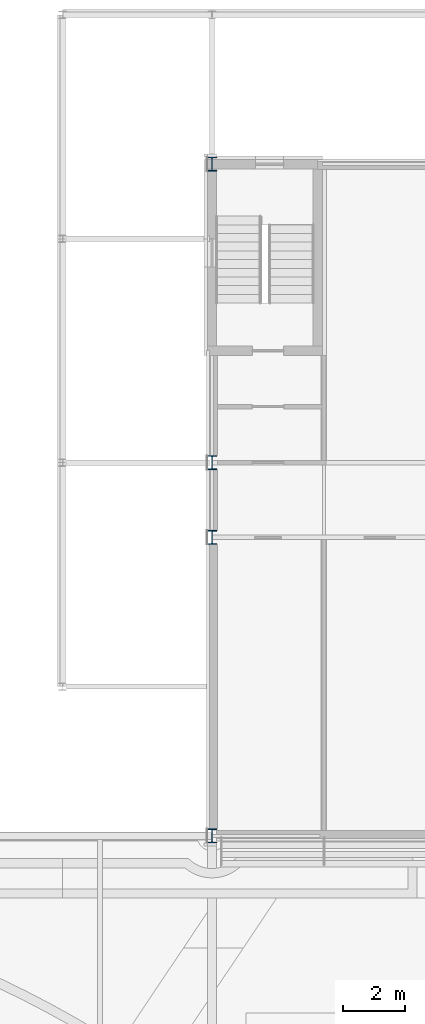
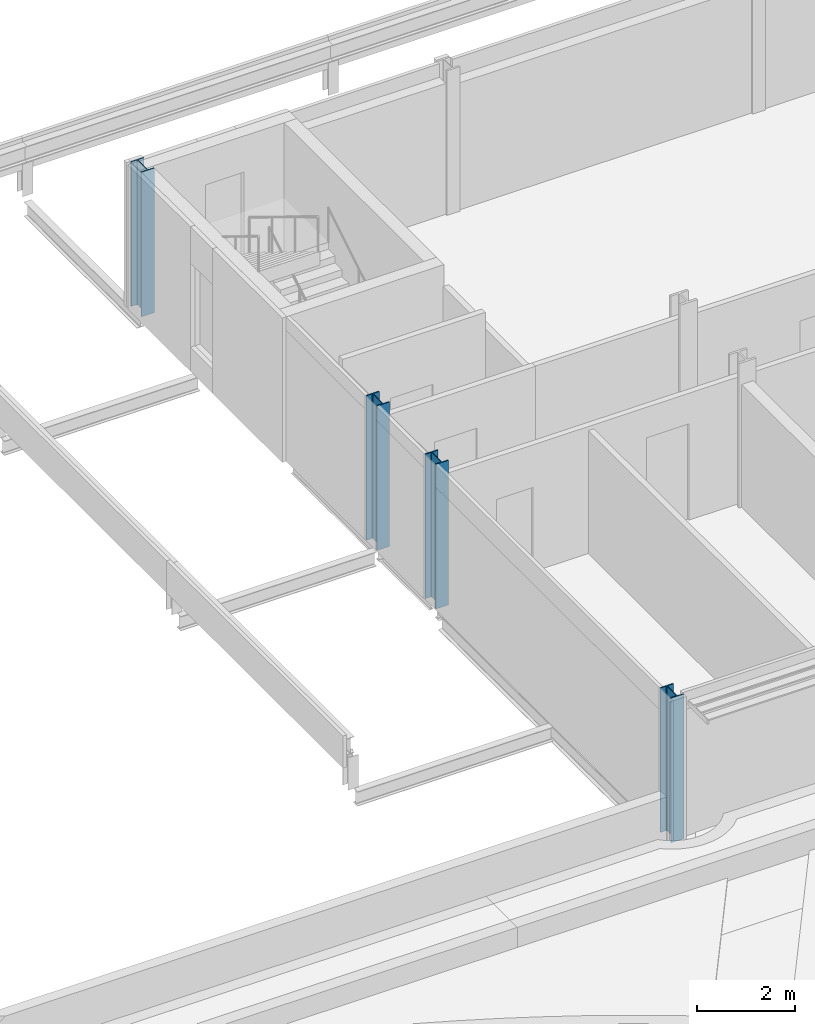
# One storey, part 7 of 110: 4 columns.
"""IFC4 building model written with IfcOpenShell, lengths in metres."""

import ifcopenshell
import ifcopenshell.guid

model = None  # the IFC model being written
_history = None  # IfcOwnerHistory: only IFC2X3 demands one
_inside = {}  # id of a spatial element -> (the spatial element, [elements in it])
_under = {}  # id of a project, library or spatial element -> (it, [spatial elements below it])
_declared = {}  # id of a project -> (the project, [libraries it declares])
_typed = {}  # id of a type object -> (the type object, [elements of that type])
_made_of = {}  # id of a material, layer set ... -> (it, [elements and type objects made of it])


def new_model(schema):
    """Start an empty IFC model of exactly this schema.

    Asked for "IFC4X3", IfcOpenShell would pick the latest addendum, in which some entities
    have other attributes; the version numbers below select the first issue.
    IFC2X3 requires an IfcOwnerHistory on every rooted entity: one is made here for all.
    """
    global model, _history
    if schema == "IFC4X3":
        model = ifcopenshell.file(schema_version=(4, 3, 0, 0))
    else:
        model = ifcopenshell.file(schema=schema)
    _inside.clear()
    _under.clear()
    _declared.clear()
    _typed.clear()
    _made_of.clear()
    _history = None
    if model.schema == "IFC2X3":
        org = make("IfcOrganization", Name="unknown")
        user = make(
            "IfcPersonAndOrganization",
            ThePerson=make("IfcPerson", FamilyName="unknown"),
            TheOrganization=org,
        )
        app = make(
            "IfcApplication",
            ApplicationDeveloper=org,
            Version="unknown",
            ApplicationFullName="unknown",
            ApplicationIdentifier="unknown",
        )
        _history = make(
            "IfcOwnerHistory",
            OwningUser=user,
            OwningApplication=app,
            ChangeAction="ADDED",
            CreationDate=0,
        )
    return model


def make(cls, **values):
    """One entity of the class cls with the attributes given. An attribute that is None is left unset."""
    return model.create_entity(
        cls, **{name: value for name, value in values.items() if value is not None}
    )


def rooted(cls, **values):
    """An entity with a GlobalId (a new one), such as an element, a storey or a relation."""
    return make(cls, GlobalId=ifcopenshell.guid.new(), OwnerHistory=_history, **values)


def si_unit(unit_type, name, prefix=None):
    """IfcSIUnit, for example si_unit("LENGTHUNIT", "METRE", prefix="MILLI")."""
    return make("IfcSIUnit", UnitType=unit_type, Prefix=prefix, Name=name)


def assignment(units):
    """IfcUnitAssignment: the units of a project."""
    return None if units is None else make("IfcUnitAssignment", Units=units)


def point(xyz):
    """IfcCartesianPoint."""
    return None if xyz is None else make("IfcCartesianPoint", Coordinates=xyz)


def direction(xyz):
    """IfcDirection."""
    return None if xyz is None else make("IfcDirection", DirectionRatios=xyz)


def frame(location, z_axis=None, x_axis=None):
    """IfcAxis2Placement3D, a coordinate frame: its origin and axes. An axis left out is left unset."""
    return make(
        "IfcAxis2Placement3D",
        Location=point(location),
        Axis=direction(z_axis),
        RefDirection=direction(x_axis),
    )


def frame_2d(location, x_axis=None):
    """IfcAxis2Placement2D, a coordinate frame in the plane: its origin and x axis."""
    return make(
        "IfcAxis2Placement2D", Location=point(location), RefDirection=direction(x_axis)
    )


def origin():
    """The frame at (0, 0, 0) with its axes left unset."""
    return frame((0.0, 0.0, 0.0))


def origin_2d():
    """The frame at (0, 0) in the plane with its x axis left unset."""
    return frame_2d((0.0, 0.0))


def place(relative_to, where):
    """IfcLocalPlacement: puts the frame where relative to a parent placement (None: the world)."""
    return make(
        "IfcLocalPlacement", PlacementRelTo=relative_to, RelativePlacement=where
    )


def context(
    kind, dimensions, precision=None, world=None, true_north=None, identifier=None
):
    """IfcGeometricRepresentationContext, for example the 3D "Model" context."""
    return make(
        "IfcGeometricRepresentationContext",
        ContextIdentifier=identifier,
        ContextType=kind,
        CoordinateSpaceDimension=dimensions,
        Precision=precision,
        WorldCoordinateSystem=world,
        TrueNorth=true_north,
    )


def subcontext(parent, identifier, kind, view, scale=None):
    """IfcGeometricRepresentationSubContext, for example "Body" below "Model"."""
    return make(
        "IfcGeometricRepresentationSubContext",
        ContextIdentifier=identifier,
        ContextType=kind,
        ParentContext=parent,
        TargetScale=scale,
        TargetView=view,
    )


def project(units=None, contexts=None):
    """IfcProject with its units and contexts."""
    return rooted(
        "IfcProject",
        Name="project",
        RepresentationContexts=contexts,
        UnitsInContext=assignment(units),
    )


def spatial(cls, under=None, at=None, **own):
    """A site, building, storey or space (cls), placed at a placement, below another one or the project."""
    s = rooted(cls, ObjectPlacement=at, **own)
    if under is not None:
        _under.setdefault(under.id(), (under, []))[1].append(s)
    return s


def profile(cls, at=None, kind="AREA", **sizes):
    """A parametric profile (cls). Its sizes go by their IFC names, for example OverallWidth=200.0."""
    return make(cls, ProfileType=kind, Position=at, **sizes)


def i_section(**sizes):
    """IfcIShapeProfileDef."""
    return profile("IfcIShapeProfileDef", **sizes)


def extrude(swept, where, along, depth):
    """IfcExtrudedAreaSolid: the profile swept, set in the frame where, extruded along a direction by depth."""
    return make(
        "IfcExtrudedAreaSolid",
        SweptArea=swept,
        Position=where,
        ExtrudedDirection=direction(along),
        Depth=depth,
    )


def shape(context_of_items, identifier, shape_type, items):
    """IfcShapeRepresentation: the items that make up one representation, for example the "Body"."""
    return make(
        "IfcShapeRepresentation",
        ContextOfItems=context_of_items,
        RepresentationIdentifier=identifier,
        RepresentationType=shape_type,
        Items=items,
    )


def material(Name=None, Category=None):
    """IfcMaterial."""
    return make("IfcMaterial", Name=Name, Category=Category)


def material_profile(
    of_material, cross_section, Name=None, Category=None, Priority=None
):
    """IfcMaterialProfile: a cross section and its material."""
    return make(
        "IfcMaterialProfile",
        Name=Name,
        Material=of_material,
        Profile=cross_section,
        Priority=Priority,
        Category=Category,
    )


def profile_set(profiles, Name=None, composite=None):
    """IfcMaterialProfileSet."""
    return make(
        "IfcMaterialProfileSet",
        Name=Name,
        MaterialProfiles=profiles,
        CompositeProfile=composite,
    )


def made_of(thing, what):
    """Note that an element or type object is made of a material, layer set ...; save() writes the relation."""
    if what is not None:
        _made_of.setdefault(what.id(), (what, []))[1].append(thing)
    return thing


def type_object(cls, material=None, **own):
    """A type object (cls), such as IfcWallType, which elements share."""
    return made_of(rooted(cls, **own), material)


def element(
    cls,
    number,
    at=None,
    inside=None,
    cuts=None,
    type_object=None,
    material=None,
    context=None,
    identifier="Body",
    shape_type=None,
    held_by="IfcProductDefinitionShape",
    body=None,
    shapes=None,
    **own,
):
    """One element of the class cls, such as IfcWall. Its Tag is "e" and its number.

    at: its placement. inside: the storey or other place that contains it. cuts: it is an
    opening in that element (IfcRelVoidsElement). A single representation is given by context,
    identifier, shape_type and body (its items); several are given by shapes. held_by: the class
    of the entity that holds the representations. save() writes the other relations.
    """
    e = rooted(cls, Tag="e%d" % number, ObjectPlacement=at, **own)
    if body is not None:
        shapes = [shape(context, identifier, shape_type, body)]
    if shapes is not None:
        e.Representation = make(held_by, Representations=shapes)
    if inside is not None:
        _inside.setdefault(inside.id(), (inside, []))[1].append(e)
    if cuts is not None:
        rooted(
            "IfcRelVoidsElement", RelatingBuildingElement=cuts, RelatedOpeningElement=e
        )
    if type_object is not None:
        _typed.setdefault(type_object.id(), (type_object, []))[1].append(e)
    return made_of(e, material)


def aggregate(whole, parts):
    """IfcRelAggregates: a whole, such as a stair, and the parts it consists of."""
    return rooted("IfcRelAggregates", RelatingObject=whole, RelatedObjects=parts)


def save(model, path):
    """Write the relations noted so far, then the file.

    IfcRelAggregates (storeys below a building ...), IfcRelContainedInSpatialStructure (elements
    in a storey), IfcRelDefinesByType, IfcRelAssociatesMaterial and IfcRelDeclares: one each for
    every whole, place, type object, material and project.
    """
    for whole, parts in _under.values():
        aggregate(whole, parts)
    for where, things in _inside.values():
        rooted(
            "IfcRelContainedInSpatialStructure",
            RelatedElements=things,
            RelatingStructure=where,
        )
    for kind, things in _typed.values():
        rooted("IfcRelDefinesByType", RelatedObjects=things, RelatingType=kind)
    for what, things in _made_of.values():
        rooted("IfcRelAssociatesMaterial", RelatedObjects=things, RelatingMaterial=what)
    for by, libraries in _declared.values():
        rooted("IfcRelDeclares", RelatingContext=by, RelatedDefinitions=libraries)
    model.write(path)


model = new_model("IFC4")

# Units and contexts
model_context = context("Model", 3, precision=1e-05, world=origin(), true_north=direction((0.0, 1.0)))
body_context = subcontext(model_context, "Body", "Model", "MODEL_VIEW")
ifc_project = project(units=[si_unit("LENGTHUNIT", "METRE"), si_unit("AREAUNIT", "SQUARE_METRE"), si_unit("VOLUMEUNIT", "CUBIC_METRE"), si_unit("PLANEANGLEUNIT", "RADIAN"), si_unit("MASSUNIT", "GRAM", prefix="KILO")], contexts=[model_context])

# Site, building, storey
site_placement = place(None, origin())
site = spatial("IfcSite", under=ifc_project, at=site_placement, CompositionType="ELEMENT")
building_placement = place(site_placement, origin())
building = spatial("IfcBuilding", under=site, at=building_placement, Name="Kupolbacken Congress Centre", CompositionType="ELEMENT")
storey_placement = place(building_placement, frame((0.0, 0.0, 18.0)))
storey = spatial("IfcBuildingStorey", under=building, at=storey_placement, Name="L05", CompositionType="ELEMENT", Elevation=18.0)

# Columns
ifc_material = material(Name="Steel S355", Category="steel")
ifc_material_profile = material_profile(ifc_material, i_section(OverallWidth=0.300048828125, OverallDepth=0.449951171875, WebThickness=0.013916015625, FlangeThickness=0.02587890625, FilletRadius=0.027099609375, at=origin_2d()), Name="HEB 450")
ifc_profile_set = profile_set([ifc_material_profile], Name="Steel S355")
column_type = type_object("IfcColumnType", Name="C03 column HEB 450", PredefinedType="COLUMN", material=ifc_profile_set)
for number, where, z_axis, x_axis, name in (
    (1, (64.800048828125, 122.39990234375, 0.0), (0.0, 0.0, 1.0), (1.0, 0.0, 0.0), "S/col/C-T-10T/L05"),
    (2, (64.800048828125, 132.0, 0.0), (0.0, 0.0, 1.0), (1.0, 0.0, 0.0), "S/col/C-T-10U+2400/L05"),
    (3, (64.800048828125, 134.39990234375, 0.0), (0.0, 0.0, 1.0), (1.0, 0.0, 0.0), "S/col/C-T-10U+4800/L05"),
    (4, (64.800048828125, 144.0, 0.0), (0.0, 0.0, 1.0), (1.0, 0.0, 0.0), "S/col/C-T-10W/L05"),
):
    element("IfcColumn", number, at=place(storey_placement, frame(where, z_axis=z_axis, x_axis=x_axis)), inside=storey, type_object=column_type, Name=name, PredefinedType="COLUMN", context=body_context, shape_type="SweptSolid", body=[
        extrude(i_section(OverallWidth=0.300048828125, OverallDepth=0.449951171875, WebThickness=0.013916015625, FlangeThickness=0.02587890625, FilletRadius=0.027099609375, at=origin_2d()), origin(), (0.0, 0.0, 1.0), 3.60009765625),
    ])

save(model, "model.ifc")
